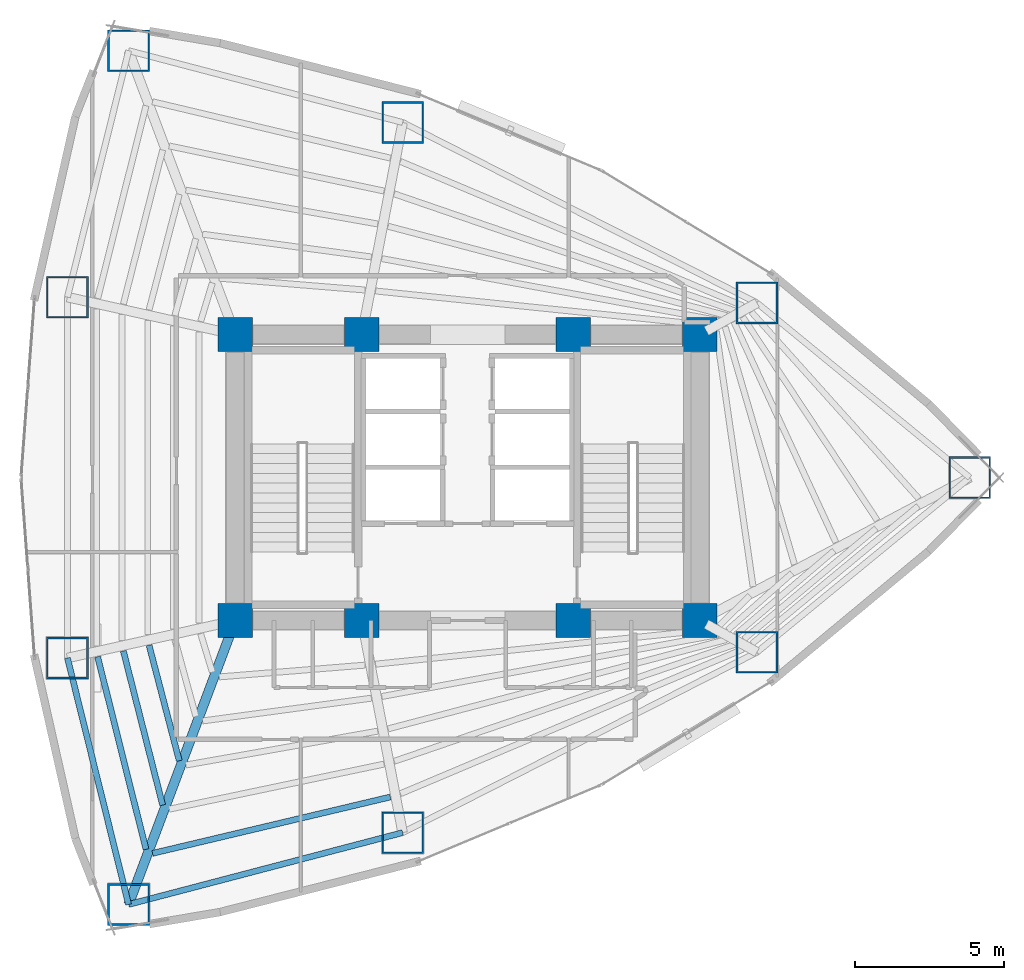
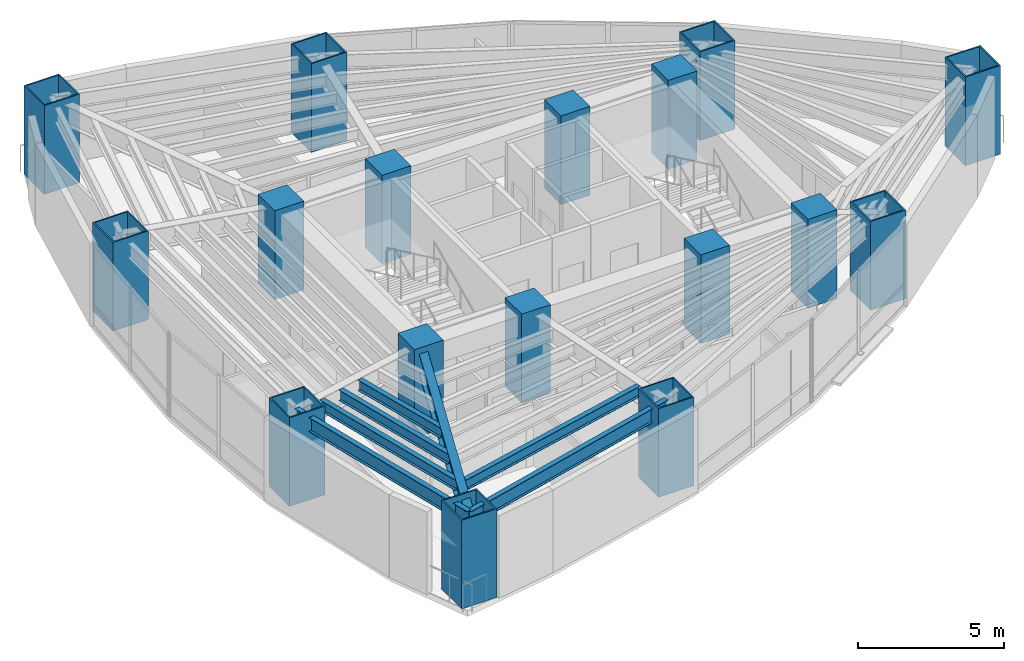
# One storey, part 1 of 17: 17 columns, 7 beams.
"""IFC4 building model written with IfcOpenShell, lengths in metres."""

from ifc_helpers import new_model, si_unit, direction, frame, origin, origin_2d, place, context, subcontext, project, spatial, rectangle, hollow_rectangle, i_section, extrude, material, material_profile, profile_set, type_object, element, save


model = new_model("IFC4")

# Units and contexts
model_context = context("Model", 3, precision=1e-05, world=origin(), true_north=direction((0.0, 1.0)))
body_context = subcontext(model_context, "Body", "Model", "MODEL_VIEW")
ifc_project = project(units=[si_unit("LENGTHUNIT", "METRE"), si_unit("AREAUNIT", "SQUARE_METRE"), si_unit("VOLUMEUNIT", "CUBIC_METRE"), si_unit("PLANEANGLEUNIT", "RADIAN"), si_unit("MASSUNIT", "GRAM", prefix="KILO")], contexts=[model_context])

# Site, building, storey
site_placement = place(None, origin())
site = spatial("IfcSite", under=ifc_project, at=site_placement, CompositionType="ELEMENT")
building_placement = place(site_placement, origin())
building = spatial("IfcBuilding", under=site, at=building_placement, Name="Menara Vayukalpa", CompositionType="ELEMENT")
storey_placement = place(building_placement, frame((0.0, 0.0, 46.199951171875)))
storey = spatial("IfcBuildingStorey", under=building, at=storey_placement, Name="L10", CompositionType="ELEMENT", Elevation=46.199951171875)

# Columns
ifc_material_1 = material(Name="Concrete C80/95", Category="concrete")
ifc_material_profile_1 = material_profile(ifc_material_1, rectangle(XDim=1.14990234375, YDim=1.14990234375, at=origin_2d()), Name="RC 1150x1150")
ifc_profile_set_1 = profile_set([ifc_material_profile_1], Name="Concrete C80/95")
column_type_1 = type_object("IfcColumnType", Name="COL-CC1", PredefinedType="COLUMN", material=ifc_profile_set_1)
for number, where, z_axis, x_axis, name in (
    (1, (17.800048828125, 17.199951171875, 0.0), (0.0, 0.0, 1.0), (1.0, 0.0, 0.0), "L10 Core Pilaster Column CC1"),
    (2, (22.050048828125, 17.199951171875, 0.0), (0.0, 0.0, 1.0), (1.0, 0.0, 0.0), "L10 Core Pilaster Column CC2"),
    (3, (29.14990234375, 17.199951171875, 0.0), (0.0, 0.0, 1.0), (1.0, 0.0, 0.0), "L10 Core Pilaster Column CC3"),
    (4, (33.39990234375, 17.199951171875, 0.0), (0.0, 0.0, 1.0), (1.0, 0.0, 0.0), "L10 Core Pilaster Column CC4"),
    (5, (17.800048828125, 26.800048828125, 0.0), (0.0, 0.0, 1.0), (1.0, 0.0, 0.0), "L10 Core Pilaster Column CC5"),
    (6, (22.050048828125, 26.800048828125, 0.0), (0.0, 0.0, 1.0), (1.0, 0.0, 0.0), "L10 Core Pilaster Column CC6"),
    (7, (29.14990234375, 26.800048828125, 0.0), (0.0, 0.0, 1.0), (1.0, 0.0, 0.0), "L10 Core Pilaster Column CC7"),
    (8, (33.39990234375, 26.800048828125, 0.0), (0.0, 0.0, 1.0), (1.0, 0.0, 0.0), "L10 Core Pilaster Column CC8"),
):
    element("IfcColumn", number, at=place(storey_placement, frame(where, z_axis=z_axis, x_axis=x_axis)), inside=storey, type_object=column_type_1, Name=name, PredefinedType="COLUMN", context=body_context, shape_type="SweptSolid", body=[
        extrude(rectangle(XDim=1.14990234375, YDim=1.14990234375, at=origin_2d()), origin(), (0.0, 0.0, 1.0), 3.719970703125),
    ])
ifc_material_2 = material(Name="Steel S460", Category="steel")
ifc_material_profile_2 = material_profile(ifc_material_2, hollow_rectangle(XDim=1.39990234375, YDim=1.39990234375, WallThickness=0.054931640625, at=origin_2d()), Name="BOX 1400x1400x55")
ifc_profile_set_2 = profile_set([ifc_material_profile_2], Name="Steel S460")
column_type_2 = type_object("IfcColumnType", Name="COL-MC1", PredefinedType="COLUMN", material=ifc_profile_set_2)
for number, where, z_axis, x_axis, name in (
    (9, (42.46484375, 22.0, 0.0), (0.0, 0.0, 1.0), (1.0, 0.0, 0.0), "L10 Perimeter Mega Column P01"),
    (10, (35.318115234375, 27.86328125, 0.0), (0.0, 0.0, 1.0), (1.0, 0.0, 0.0), "L10 Perimeter Mega Column P02"),
    (11, (23.41943359375, 33.9228515625, 0.0), (0.0, 0.0, 1.0), (1.0, 0.0, 0.0), "L10 Perimeter Mega Column P03"),
    (12, (14.217529296875, 36.33447265625, 0.0), (0.0, 0.0, 1.0), (1.0, 0.0, 0.0), "L10 Perimeter Mega Column P04"),
    (13, (12.164306640625, 28.0595703125, 0.0), (0.0, 0.0, 1.0), (1.0, 0.0, 0.0), "L10 Perimeter Mega Column P05"),
    (14, (12.164306640625, 15.9404296875, 0.0), (0.0, 0.0, 1.0), (1.0, 0.0, 0.0), "L10 Perimeter Mega Column P06"),
    (15, (14.217529296875, 7.66552734375, 0.0), (0.0, 0.0, 1.0), (1.0, 0.0, 0.0), "L10 Perimeter Mega Column P07"),
    (16, (23.41943359375, 10.0771484375, 0.0), (0.0, 0.0, 1.0), (1.0, 0.0, 0.0), "L10 Perimeter Mega Column P08"),
    (17, (35.318115234375, 16.13671875, 0.0), (0.0, 0.0, 1.0), (1.0, 0.0, 0.0), "L10 Perimeter Mega Column P09"),
):
    element("IfcColumn", number, at=place(storey_placement, frame(where, z_axis=z_axis, x_axis=x_axis)), inside=storey, type_object=column_type_2, Name=name, PredefinedType="COLUMN", context=body_context, shape_type="SweptSolid", body=[
        extrude(hollow_rectangle(XDim=1.39990234375, YDim=1.39990234375, WallThickness=0.054931640625, at=origin_2d()), origin(), (0.0, 0.0, 1.0), 3.719970703125),
    ])

# Beams
ifc_material_3 = material(Name="Steel S355", Category="steel")
ifc_material_profile_3 = material_profile(ifc_material_3, i_section(OverallWidth=0.320068359375, OverallDepth=0.85009765625, WebThickness=0.01611328125, FlangeThickness=0.030029296875, at=origin_2d()), Name="WF 850x320x16x30")
ifc_profile_set_3 = profile_set([ifc_material_profile_3], Name="Steel S355")
beam_type_1 = type_object("IfcBeamType", Name="BM-PG2", PredefinedType="BEAM", material=ifc_profile_set_3)
beam_1_placement = place(storey_placement, frame((17.712158203125, 16.966064453125, 3.045166015625), z_axis=(-0.351734656537, -0.93609974436, 0.0), x_axis=(0.93609974436, -0.351734656537, 0.0)))
element("IfcBeam", 18, at=beam_1_placement, inside=storey, type_object=beam_type_1, Name="L10 Primary Radial Girder RG07", PredefinedType="BEAM", context=body_context, shape_type="SweptSolid", body=[
    extrude(i_section(OverallWidth=0.320068359375, OverallDepth=0.85009765625, WebThickness=0.01611328125, FlangeThickness=0.030029296875, at=origin_2d()), origin(), (0.0, 0.0, 1.0), 9.935302734375),
])
ifc_material_4 = material(Name="Steel S355", Category="steel")
ifc_material_profile_4 = material_profile(ifc_material_4, i_section(OverallWidth=0.199951171875, OverallDepth=0.449951171875, WebThickness=0.009033203125, FlangeThickness=0.013916015625, at=origin_2d()), Name="WF 450x200x9x14")
ifc_profile_set_4 = profile_set([ifc_material_profile_4], Name="Steel S355")
beam_type_2 = type_object("IfcBeamType", Name="BM-SJ1", PredefinedType="JOIST", material=ifc_profile_set_4)
beam_2_placement = place(storey_placement, frame((14.905517578125, 16.368896484375, 3.2451171875), z_axis=(0.25283833468, -0.967508540798, 0.0), x_axis=(0.967508540798, 0.25283833468, 0.0)))
element("IfcBeam", 19, at=beam_2_placement, inside=storey, type_object=beam_type_2, Name="L10 Secondary Floor Joist SJ06-3", PredefinedType="JOIST", context=body_context, shape_type="SweptSolid", body=[
    extrude(i_section(OverallWidth=0.199951171875, OverallDepth=0.449951171875, WebThickness=0.009033203125, FlangeThickness=0.013916015625, at=origin_2d()), origin(), (0.0, 0.0, 1.0), 4.00927734375),
])
beam_3_placement = place(storey_placement, frame((14.0419921875, 16.17578125, 3.2451171875), z_axis=(0.247105572938, -0.968988563309, 0.0), x_axis=(0.968988563309, 0.247105572938, 0.0)))
element("IfcBeam", 20, at=beam_3_placement, inside=storey, type_object=beam_type_2, Name="L10 Secondary Floor Joist SJ06-4", PredefinedType="JOIST", context=body_context, shape_type="SweptSolid", body=[
    extrude(i_section(OverallWidth=0.199951171875, OverallDepth=0.449951171875, WebThickness=0.009033203125, FlangeThickness=0.013916015625, at=origin_2d()), origin(), (0.0, 0.0, 1.0), 5.339111328125),
])
beam_4_placement = place(storey_placement, frame((13.1787109375, 15.982666015625, 3.2451171875), z_axis=(0.243517460774, -0.96989651319, 0.0), x_axis=(0.96989651319, 0.243517460774, 0.0)))
element("IfcBeam", 21, at=beam_4_placement, inside=storey, type_object=beam_type_2, Name="L10 Secondary Floor Joist SJ06-5", PredefinedType="JOIST", context=body_context, shape_type="SweptSolid", body=[
    extrude(i_section(OverallWidth=0.199951171875, OverallDepth=0.449951171875, WebThickness=0.009033203125, FlangeThickness=0.013916015625, at=origin_2d()), origin(), (0.0, 0.0, 1.0), 6.6689453125),
])
beam_5_placement = place(storey_placement, frame((15.021728515625, 9.381103515625, 3.2451171875), z_axis=(0.97303971213, 0.23063763487, 0.0), x_axis=(-0.23063763487, 0.97303971213, 0.0)))
element("IfcBeam", 22, at=beam_5_placement, inside=storey, type_object=beam_type_2, Name="L10 Secondary Floor Joist SJ07-5", PredefinedType="JOIST", context=body_context, shape_type="SweptSolid", body=[
    extrude(i_section(OverallWidth=0.199951171875, OverallDepth=0.449951171875, WebThickness=0.009033203125, FlangeThickness=0.013916015625, at=origin_2d()), origin(), (0.0, 0.0, 1.0), 8.205810546875),
])
ifc_material_5 = material(Name="Steel S355", Category="steel")
ifc_material_profile_5 = material_profile(ifc_material_5, i_section(OverallWidth=0.199951171875, OverallDepth=0.60009765625, WebThickness=0.010986328125, FlangeThickness=0.01708984375, at=origin_2d()), Name="WF 600x200x11x17")
ifc_profile_set_5 = profile_set([ifc_material_profile_5], Name="Steel S355")
beam_type_3 = type_object("IfcBeamType", Name="BM-SP1", PredefinedType="SPANDREL", material=ifc_profile_set_5)
beam_6_placement = place(storey_placement, frame((12.164306640625, 15.9404296875, 3.170166015625), z_axis=(0.240823860364, -0.970568837476, 0.0), x_axis=(0.970568837476, 0.240823860364, 0.0)))
element("IfcBeam", 23, at=beam_6_placement, inside=storey, type_object=beam_type_3, Name="L10 Perimeter Spandrel Beam SP06", PredefinedType="SPANDREL", context=body_context, shape_type="SweptSolid", body=[
    extrude(i_section(OverallWidth=0.199951171875, OverallDepth=0.60009765625, WebThickness=0.010986328125, FlangeThickness=0.01708984375, at=origin_2d()), origin(), (0.0, 0.0, 1.0), 8.52587890625),
])
beam_7_placement = place(storey_placement, frame((14.217529296875, 7.66552734375, 3.170166015625), z_axis=(0.967331024421, 0.253516644802, 0.0), x_axis=(-0.253516644802, 0.967331024421, 0.0)))
element("IfcBeam", 24, at=beam_7_placement, inside=storey, type_object=beam_type_3, Name="L10 Perimeter Spandrel Beam SP07", PredefinedType="SPANDREL", context=body_context, shape_type="SweptSolid", body=[
    extrude(i_section(OverallWidth=0.199951171875, OverallDepth=0.60009765625, WebThickness=0.010986328125, FlangeThickness=0.01708984375, at=origin_2d()), origin(), (0.0, 0.0, 1.0), 9.5126953125),
])

save(model, "model.ifc")
